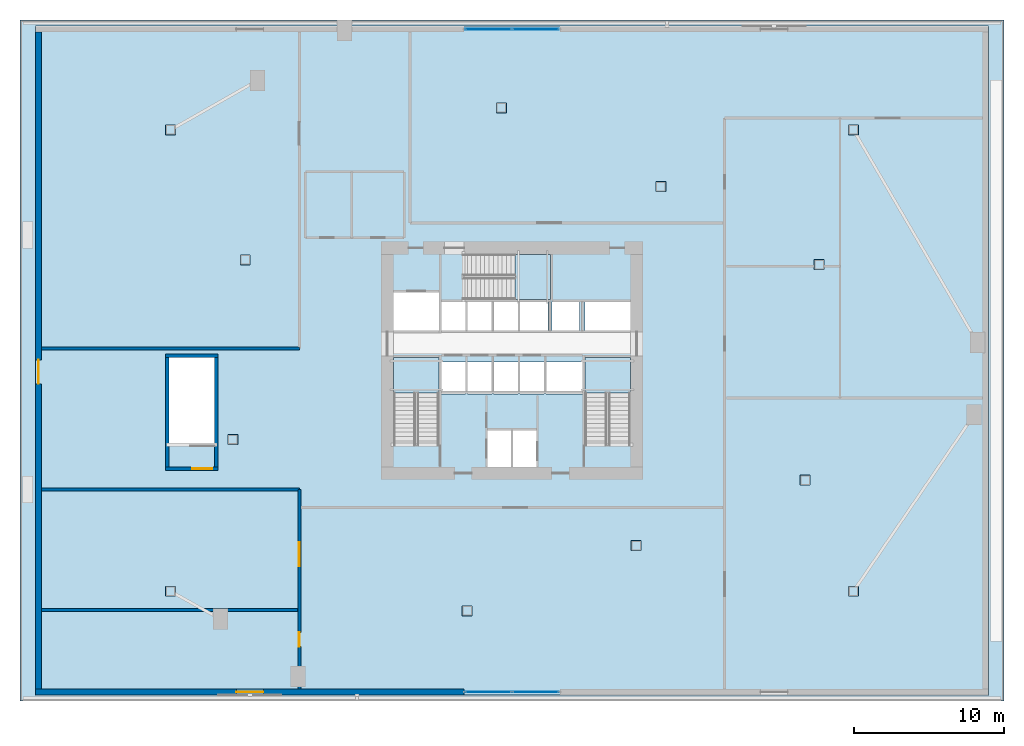
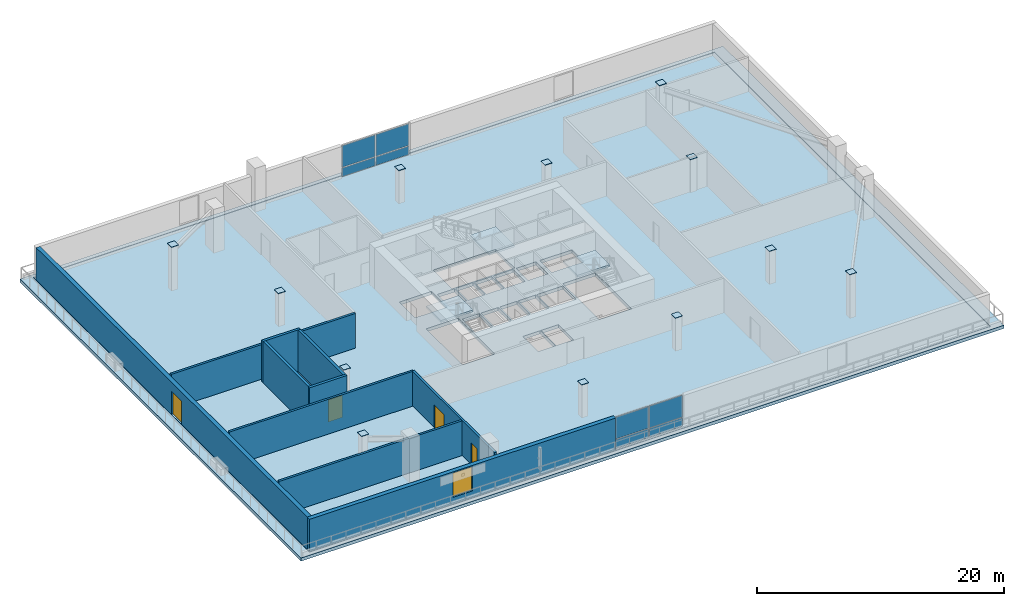
# One storey, part 7 of 16: 20 plates, 10 walls, 5 slabs, 4 doors, 1 window, 5 openings, 5 elements without a shape of their own.
"""IFC4 building model written with IfcOpenShell, lengths in metres."""

from ifc_helpers import new_model, si_unit, direction, frame, frame_2d, origin, origin_2d, place, context, subcontext, project, spatial, polyline, rectangle, outline, extrude, source, transform, mapped, material, layer, layer_set, type_object, type_shapes, element, fill, aggregate, save


model = new_model("IFC4")

# Units and contexts
model_context = context("Model", 3, precision=1e-05, world=origin(), true_north=direction((0.0, 1.0)))
body_context = subcontext(model_context, "Body", "Model", "MODEL_VIEW")
ifc_project = project(units=[si_unit("LENGTHUNIT", "METRE"), si_unit("AREAUNIT", "SQUARE_METRE"), si_unit("VOLUMEUNIT", "CUBIC_METRE"), si_unit("PLANEANGLEUNIT", "RADIAN"), si_unit("MASSUNIT", "GRAM", prefix="KILO")], contexts=[model_context])

# Site, building, storey
site_placement = place(None, origin())
site = spatial("IfcSite", under=ifc_project, at=site_placement, CompositionType="ELEMENT")
building_placement = place(site_placement, origin())
building = spatial("IfcBuilding", under=site, at=building_placement, Name="Olszyna Solenne Hotel", CompositionType="ELEMENT")
storey_placement = place(building_placement, frame((0.0, 0.0, 20.10009765625)))
storey = spatial("IfcBuildingStorey", under=building, at=storey_placement, Name="L04", CompositionType="ELEMENT", Elevation=20.10009765625)

# Stair, slab
ifc_material_1 = material(Name="Concrete C40/50", Category="concrete")
stair_type = type_object("IfcStairType", Name="STR-C1", PredefinedType="TWO_QUARTER_WINDING_STAIR", material=ifc_material_1)
stair_1_placement = place(storey_placement, origin())
stair_1 = element("IfcStair", 1, at=stair_1_placement, inside=storey, type_object=stair_type, Name="L04 ST1", PredefinedType="TWO_QUARTER_WINDING_STAIR")
ifc_layer_1 = layer(ifc_material_1, 0.18994140625, Name="Concrete C40/50")
ifc_layer_set_1 = layer_set([ifc_layer_1], Name="Concrete C40/50")
slab_type_1 = type_object("IfcSlabType", Name="SL-LN190", PredefinedType="LANDING", material=ifc_layer_set_1)
slab_1_placement = place(storey_placement, frame((0.0, 0.0, 2.0498046875)))
slab_1 = element("IfcSlab", 2, at=slab_1_placement, type_object=slab_type_1, Name="ST1 landing 1", PredefinedType="LANDING", context=body_context, shape_type="SweptSolid", body=[
    extrude(outline(polyline([(33.1201171875, 24.429931640625), (33.1201171875, 26.800048828125), (30.10009765625, 26.800048828125), (30.10009765625, 24.429931640625), (33.1201171875, 24.429931640625)])), origin(), (0.0, 0.0, 1.0), 0.2001953125),
])
aggregate(stair_1, [slab_1])

stair_2_placement = place(storey_placement, origin())
stair_2 = element("IfcStair", 3, at=stair_2_placement, inside=storey, type_object=stair_type, Name="L04 ST2", PredefinedType="TWO_QUARTER_WINDING_STAIR")
slab_2_placement = place(storey_placement, frame((0.0, 0.0, 2.0498046875)))
slab_2 = element("IfcSlab", 4, at=slab_2_placement, type_object=slab_type_1, Name="ST2 landing 1", PredefinedType="LANDING", context=body_context, shape_type="SweptSolid", body=[
    extrude(outline(polyline([(45.89990234375, 24.429931640625), (45.89990234375, 26.800048828125), (42.8798828125, 26.800048828125), (42.8798828125, 24.429931640625), (45.89990234375, 24.429931640625)])), origin(), (0.0, 0.0, 1.0), 0.2001953125),
])
aggregate(stair_2, [slab_2])

stair_3_placement = place(storey_placement, origin())
stair_3 = element("IfcStair", 5, at=stair_3_placement, inside=storey, type_object=stair_type, Name="L04 ST3", PredefinedType="TWO_QUARTER_WINDING_STAIR")
slab_3_placement = place(storey_placement, frame((0.0, 0.0, 2.0498046875)))
slab_3 = element("IfcSlab", 6, at=slab_3_placement, type_object=slab_type_1, Name="ST3 landing 1", PredefinedType="LANDING", context=body_context, shape_type="SweptSolid", body=[
    extrude(outline(polyline([(38.2099609375, 30.679931640625), (40.580078125, 30.679931640625), (40.580078125, 33.699951171875), (38.2099609375, 33.699951171875), (38.2099609375, 30.679931640625)])), origin(), (0.0, 0.0, 1.0), 0.2001953125),
])
aggregate(stair_3, [slab_3])

# Slabs
ifc_material_2 = material(Name="Concrete C50/60", Category="concrete")
ifc_layer_2 = layer(ifc_material_2, 0.320068359375, Name="Concrete C50/60")
ifc_layer_set_2 = layer_set([ifc_layer_2], Name="Concrete C50/60")
slab_type_2 = type_object("IfcSlabType", Name="SL-PD320", PredefinedType="FLOOR", material=ifc_layer_set_2)
slab_4_placement = place(storey_placement, frame((0.0, 0.0, -0.320068359375)))
element("IfcSlab", 7, at=slab_4_placement, inside=storey, type_object=slab_type_2, Name="Floor slab SL-PD320 SL-L04-01", PredefinedType="FLOOR", context=body_context, shape_type="SweptSolid", body=[
    extrude(outline(polyline([(6.199951171875, 4.280029296875), (69.800048828125, 4.280029296875), (69.800048828125, 48.919921875), (6.199951171875, 48.919921875), (6.199951171875, 4.280029296875)]), holes=[polyline([(30.10009765625, 20.949951171875), (33.1201171875, 20.949951171875), (33.1201171875, 26.800048828125), (30.10009765625, 26.800048828125), (30.10009765625, 20.949951171875)]), polyline([(42.8798828125, 20.949951171875), (45.89990234375, 20.949951171875), (45.89990234375, 26.800048828125), (42.8798828125, 26.800048828125), (42.8798828125, 20.949951171875)]), polyline([(34.72998046875, 30.679931640625), (40.580078125, 30.679931640625), (40.580078125, 33.699951171875), (34.72998046875, 33.699951171875), (34.72998046875, 30.679931640625)]), polyline([(15.10009765625, 20.949951171875), (18.1201171875, 20.949951171875), (18.1201171875, 26.800048828125), (15.10009765625, 26.800048828125), (15.10009765625, 20.949951171875)]), polyline([(36.340087890625, 19.5), (37.9599609375, 19.5), (37.9599609375, 21.9599609375), (36.340087890625, 21.9599609375), (36.340087890625, 19.5)]), polyline([(38.0400390625, 19.5), (39.659912109375, 19.5), (39.659912109375, 21.9599609375), (38.0400390625, 21.9599609375), (38.0400390625, 19.5)]), polyline([(30.10009765625, 28.60009765625), (33.1201171875, 28.60009765625), (33.1201171875, 31.159912109375), (30.10009765625, 31.159912109375), (30.10009765625, 28.60009765625)]), polyline([(33.280029296875, 24.360107421875), (34.89990234375, 24.360107421875), (34.89990234375, 26.5), (33.280029296875, 26.5), (33.280029296875, 24.360107421875)]), polyline([(35.030029296875, 24.360107421875), (36.64990234375, 24.360107421875), (36.64990234375, 26.5), (35.030029296875, 26.5), (35.030029296875, 24.360107421875)]), polyline([(36.780029296875, 24.360107421875), (38.39990234375, 24.360107421875), (38.39990234375, 26.5), (36.780029296875, 26.5), (36.780029296875, 24.360107421875)]), polyline([(38.530029296875, 24.360107421875), (40.14990234375, 24.360107421875), (40.14990234375, 26.5), (38.530029296875, 26.5), (38.530029296875, 24.360107421875)]), polyline([(40.280029296875, 24.360107421875), (42.719970703125, 24.360107421875), (42.719970703125, 26.5), (40.280029296875, 26.5), (40.280029296875, 24.360107421875)]), polyline([(33.280029296875, 28.60009765625), (34.89990234375, 28.60009765625), (34.89990234375, 30.550048828125), (33.280029296875, 30.550048828125), (33.280029296875, 28.60009765625)]), polyline([(35.030029296875, 28.60009765625), (36.64990234375, 28.60009765625), (36.64990234375, 30.550048828125), (35.030029296875, 30.550048828125), (35.030029296875, 28.60009765625)]), polyline([(36.780029296875, 28.60009765625), (38.39990234375, 28.60009765625), (38.39990234375, 30.550048828125), (36.780029296875, 30.550048828125), (36.780029296875, 28.60009765625)]), polyline([(38.530029296875, 28.60009765625), (40.389892578125, 28.60009765625), (40.389892578125, 30.550048828125), (38.530029296875, 30.550048828125), (38.530029296875, 28.60009765625)]), polyline([(40.659912109375, 28.60009765625), (42.52001953125, 28.60009765625), (42.52001953125, 30.550048828125), (40.659912109375, 30.550048828125), (40.659912109375, 28.60009765625)]), polyline([(42.8798828125, 28.60009765625), (45.89990234375, 28.60009765625), (45.89990234375, 30.550048828125), (42.8798828125, 30.550048828125), (42.8798828125, 28.60009765625)])]), origin(), (0.0, 0.0, 1.0), 0.320068359375),
])
ifc_material_3 = material(Name="Concrete C45/55", Category="concrete")
ifc_layer_3 = layer(ifc_material_3, 0.239990234375, Name="Concrete C45/55")
ifc_layer_set_3 = layer_set([ifc_layer_3], Name="Concrete C45/55")
slab_type_3 = type_object("IfcSlabType", Name="SL-TER240", PredefinedType="FLOOR", material=ifc_layer_set_3)
slab_5_placement = place(storey_placement, frame((0.0, 0.0, -0.320068359375)))
element("IfcSlab", 8, at=slab_5_placement, inside=storey, type_object=slab_type_3, Name="Cascading planted garden-terrace slab SL-L04-TER1", PredefinedType="FLOOR", context=body_context, shape_type="SweptSolid", body=[
    extrude(outline(polyline([(5.14990234375, 3.860107421875), (70.85009765625, 3.860107421875), (70.85009765625, 49.340087890625), (5.14990234375, 49.340087890625), (5.14990234375, 3.860107421875)]), holes=[polyline([(6.170166015625, 4.277099609375), (6.170654296875, 4.274169921875), (6.17138671875, 4.271240234375), (6.17236328125, 4.2685546875), (6.173583984375, 4.265869140625), (6.175048828125, 4.26318359375), (6.1767578125, 4.260986328125), (6.1787109375, 4.2587890625), (6.180908203125, 4.2568359375), (6.183349609375, 4.255126953125), (6.185791015625, 4.25341796875), (6.1884765625, 4.252197265625), (6.19140625, 4.251220703125), (6.194091796875, 4.25048828125), (6.197021484375, 4.25), (6.199951171875, 4.25), (69.800048828125, 4.25), (69.802978515625, 4.25), (69.805908203125, 4.25048828125), (69.80859375, 4.251220703125), (69.8115234375, 4.252197265625), (69.814208984375, 4.25341796875), (69.816650390625, 4.255126953125), (69.819091796875, 4.2568359375), (69.8212890625, 4.2587890625), (69.8232421875, 4.260986328125), (69.824951171875, 4.26318359375), (69.826416015625, 4.265869140625), (69.82763671875, 4.2685546875), (69.82861328125, 4.271240234375), (69.829345703125, 4.274169921875), (69.829833984375, 4.277099609375), (69.830078125, 4.280029296875), (69.830078125, 48.919921875), (69.829833984375, 48.9228515625), (69.829345703125, 48.92578125), (69.82861328125, 48.9287109375), (69.82763671875, 48.931396484375), (69.826416015625, 48.93408203125), (69.824951171875, 48.936767578125), (69.8232421875, 48.93896484375), (69.8212890625, 48.941162109375), (69.819091796875, 48.943115234375), (69.816650390625, 48.94482421875), (69.814208984375, 48.946533203125), (69.8115234375, 48.94775390625), (69.80859375, 48.94873046875), (69.805908203125, 48.949462890625), (69.802978515625, 48.949951171875), (69.800048828125, 48.949951171875), (6.199951171875, 48.949951171875), (6.197021484375, 48.949951171875), (6.194091796875, 48.949462890625), (6.19140625, 48.94873046875), (6.1884765625, 48.94775390625), (6.185791015625, 48.946533203125), (6.183349609375, 48.94482421875), (6.180908203125, 48.943115234375), (6.1787109375, 48.941162109375), (6.1767578125, 48.93896484375), (6.175048828125, 48.936767578125), (6.173583984375, 48.93408203125), (6.17236328125, 48.931396484375), (6.17138671875, 48.9287109375), (6.170654296875, 48.92578125), (6.170166015625, 48.9228515625), (6.169921875, 48.919921875), (6.169921875, 4.280029296875), (6.170166015625, 4.277099609375)])]), origin(), (0.0, 0.0, 1.0), 0.320068359375),
])

# Plates
ifc_material_4 = material(Name="Steel S460M", Category="steel")
plate_type_1 = type_object("IfcPlateType", Name="GP-CAP1", PredefinedType="USERDEFINED", material=ifc_material_4)
shared_shape_1 = source(origin(), body_context, "Body", "SweptSolid", [
    extrude(rectangle(XDim=0.659912109375, YDim=0.659912109375, at=origin_2d()), origin(), (0.0, 0.0, 1.0), 0.0400390625),
])
for number, where, z_axis, x_axis, name in (
    (9, (15.199951171875, 11.199951171875, 4.3349609375), (0.0, 0.0, 1.0), (1.0, 0.0, 0.0), "Hollow section end-cap plate GP-CAP1 CP-P2TOP-1-2"),
    (10, (15.199951171875, 42.0, 4.3349609375), (0.0, 0.0, 1.0), (1.0, 0.0, 0.0), "Hollow section end-cap plate GP-CAP1 CP-P2TOP-2-2"),
    (11, (60.800048828125, 11.199951171875, 4.3349609375), (0.0, 0.0, 1.0), (1.0, 0.0, 0.0), "Hollow section end-cap plate GP-CAP1 CP-P2TOP-3-2"),
    (12, (60.800048828125, 42.0, 4.3349609375), (0.0, 0.0, 1.0), (1.0, 0.0, 0.0), "Hollow section end-cap plate GP-CAP1 CP-P2TOP-4-2"),
    (13, (58.506591796875, 33.0126953125, 3.27978515625), (0.0, 0.0, 1.0), (1.0, 0.0, 0.0), "Hollow section end-cap plate GP-CAP1 CP-TGCOLTOP-1-2"),
    (14, (47.94091796875, 38.222412109375, 3.27978515625), (0.0, 0.0, 1.0), (1.0, 0.0, 0.0), "Hollow section end-cap plate GP-CAP1 CP-TGCOLTOP-2-2"),
    (15, (37.287109375, 43.47509765625, 3.27978515625), (0.0, 0.0, 1.0), (1.0, 0.0, 0.0), "Hollow section end-cap plate GP-CAP1 CP-TGCOLTOP-3-2"),
    (16, (20.186767578125, 33.320068359375, 3.27978515625), (0.0, 0.0, 1.0), (1.0, 0.0, 0.0), "Hollow section end-cap plate GP-CAP1 CP-TGCOLTOP-4-2"),
    (17, (19.359375, 21.33056640625, 3.27978515625), (0.0, 0.0, 1.0), (1.0, 0.0, 0.0), "Hollow section end-cap plate GP-CAP1 CP-TGCOLTOP-5-2"),
    (18, (35.000244140625, 9.88623046875, 3.27978515625), (0.0, 0.0, 1.0), (1.0, 0.0, 0.0), "Hollow section end-cap plate GP-CAP1 CP-TGCOLTOP-6-2"),
    (19, (46.2861328125, 14.25244140625, 3.27978515625), (0.0, 0.0, 1.0), (1.0, 0.0, 0.0), "Hollow section end-cap plate GP-CAP1 CP-TGCOLTOP-7-2"),
    (20, (57.572265625, 18.618408203125, 3.27978515625), (0.0, 0.0, 1.0), (1.0, 0.0, 0.0), "Hollow section end-cap plate GP-CAP1 CP-TGCOLTOP-8-2"),
):
    element("IfcPlate", number, at=place(storey_placement, frame(where, z_axis=z_axis, x_axis=x_axis)), inside=storey, type_object=plate_type_1, Name=name, ObjectType="GUSSET_PLATE", PredefinedType="USERDEFINED", context=body_context, shape_type="MappedRepresentation", body=[
        mapped(shared_shape_1, transform((0.0, 0.0, 0.0), x_axis=(1.0, 0.0, 0.0), y_axis=(0.0, 1.0, 0.0), z_axis=(0.0, 0.0, 1.0), scale=1.0)),
    ])

# Curtain wall, plates
ifc_material_5 = material(Name="Anodised bronze aluminium", Category="aluminium")
curtain_wall_type = type_object("IfcCurtainWallType", Name="CW-SYS-1", PredefinedType="NOTDEFINED", material=ifc_material_5)
curtain_wall_1_placement = place(storey_placement, origin())
curtain_wall_1 = element("IfcCurtainWall", 21, at=curtain_wall_1_placement, inside=storey, type_object=curtain_wall_type, Name="Unitised curtain wall CW-SYS-1 CW-L04-01", PredefinedType="NOTDEFINED")
ifc_material_6 = material(Name="Terracotta cladding", Category="masonry")
plate_type_2 = type_object("IfcPlateType", Name="PN-SP1", PredefinedType="CURTAIN_PANEL", material=ifc_material_6)
shared_shape_2 = source(origin(), body_context, "Body", "SweptSolid", [
    extrude(rectangle(XDim=3.080078125, YDim=0.048095703125, at=origin_2d()), origin(), (0.0, 0.0, 1.0), 0.83740234375),
])
plate_1_placement = place(storey_placement, frame((36.419921875, 4.469970703125, 0.074951171875), z_axis=(0.0, 0.0, 1.0), x_axis=(1.0, 0.0, 0.0)))
plate_1 = element("IfcPlate", 22, at=plate_1_placement, type_object=plate_type_2, Name="Curtain-wall panel PN-SP1 CP-L04-01-01", PredefinedType="CURTAIN_PANEL", context=body_context, shape_type="MappedRepresentation", body=[
    mapped(shared_shape_2, transform((0.0, 0.0, 0.0), x_axis=(1.0, 0.0, 0.0), y_axis=(0.0, 1.0, 0.0), z_axis=(0.0, 0.0, 1.0), scale=1.0)),
])
plate_2_placement = place(storey_placement, frame((39.580078125, 4.469970703125, 0.074951171875), z_axis=(0.0, 0.0, 1.0), x_axis=(1.0, 0.0, 0.0)))
plate_2 = element("IfcPlate", 23, at=plate_2_placement, type_object=plate_type_2, Name="Curtain-wall panel PN-SP1 CP-L04-01-03", PredefinedType="CURTAIN_PANEL", context=body_context, shape_type="MappedRepresentation", body=[
    mapped(shared_shape_2, transform((0.0, 0.0, 0.0), x_axis=(1.0, 0.0, 0.0), y_axis=(0.0, 1.0, 0.0), z_axis=(0.0, 0.0, 1.0), scale=1.0)),
])

curtain_wall_2_placement = place(storey_placement, origin())
curtain_wall_2 = element("IfcCurtainWall", 24, at=curtain_wall_2_placement, inside=storey, type_object=curtain_wall_type, Name="Unitised curtain wall CW-SYS-1 CW-L04-02", PredefinedType="NOTDEFINED")
plate_3_placement = place(storey_placement, frame((36.419921875, 48.72998046875, 0.074951171875), z_axis=(0.0, 0.0, 1.0), x_axis=(1.0, 0.0, 0.0)))
plate_3 = element("IfcPlate", 25, at=plate_3_placement, type_object=plate_type_2, Name="Curtain-wall panel PN-SP1 CP-L04-02-01", PredefinedType="CURTAIN_PANEL", context=body_context, shape_type="MappedRepresentation", body=[
    mapped(shared_shape_2, transform((0.0, 0.0, 0.0), x_axis=(1.0, 0.0, 0.0), y_axis=(0.0, 1.0, 0.0), z_axis=(0.0, 0.0, 1.0), scale=1.0)),
])
plate_4_placement = place(storey_placement, frame((39.580078125, 48.72998046875, 0.074951171875), z_axis=(0.0, 0.0, 1.0), x_axis=(1.0, 0.0, 0.0)))
plate_4 = element("IfcPlate", 26, at=plate_4_placement, type_object=plate_type_2, Name="Curtain-wall panel PN-SP1 CP-L04-02-03", PredefinedType="CURTAIN_PANEL", context=body_context, shape_type="MappedRepresentation", body=[
    mapped(shared_shape_2, transform((0.0, 0.0, 0.0), x_axis=(1.0, 0.0, 0.0), y_axis=(0.0, 1.0, 0.0), z_axis=(0.0, 0.0, 1.0), scale=1.0)),
])

# Plate
ifc_material_7 = material(Name="Low-E triple glazing", Category="glass")
plate_type_3 = type_object("IfcPlateType", Name="PN-GL2", PredefinedType="CURTAIN_PANEL", material=ifc_material_7)
shared_shape_3 = source(origin(), body_context, "Body", "SweptSolid", [
    extrude(rectangle(XDim=3.080078125, YDim=0.048095703125, at=origin_2d()), origin(), (0.0, 0.0, 1.0), 2.137451171875),
])
plate_5_placement = place(storey_placement, frame((36.419921875, 4.469970703125, 0.9873046875), z_axis=(0.0, 0.0, 1.0), x_axis=(1.0, 0.0, 0.0)))
plate_5 = element("IfcPlate", 27, at=plate_5_placement, type_object=plate_type_3, Name="Curtain-wall panel PN-GL2 CP-L04-01-02", PredefinedType="CURTAIN_PANEL", context=body_context, shape_type="MappedRepresentation", body=[
    mapped(shared_shape_3, transform((0.0, 0.0, 0.0), x_axis=(1.0, 0.0, 0.0), y_axis=(0.0, 1.0, 0.0), z_axis=(0.0, 0.0, 1.0), scale=1.0)),
])

plate_6_placement = place(storey_placement, frame((39.580078125, 4.469970703125, 0.9873046875), z_axis=(0.0, 0.0, 1.0), x_axis=(1.0, 0.0, 0.0)))
plate_6 = element("IfcPlate", 28, at=plate_6_placement, type_object=plate_type_3, Name="Curtain-wall panel PN-GL2 CP-L04-01-04", PredefinedType="CURTAIN_PANEL", context=body_context, shape_type="MappedRepresentation", body=[
    mapped(shared_shape_3, transform((0.0, 0.0, 0.0), x_axis=(1.0, 0.0, 0.0), y_axis=(0.0, 1.0, 0.0), z_axis=(0.0, 0.0, 1.0), scale=1.0)),
])

aggregate(curtain_wall_1, [plate_1, plate_5, plate_2, plate_6])

plate_7_placement = place(storey_placement, frame((36.419921875, 48.72998046875, 0.9873046875), z_axis=(0.0, 0.0, 1.0), x_axis=(1.0, 0.0, 0.0)))
plate_7 = element("IfcPlate", 29, at=plate_7_placement, type_object=plate_type_3, Name="Curtain-wall panel PN-GL2 CP-L04-02-02", PredefinedType="CURTAIN_PANEL", context=body_context, shape_type="MappedRepresentation", body=[
    mapped(shared_shape_3, transform((0.0, 0.0, 0.0), x_axis=(1.0, 0.0, 0.0), y_axis=(0.0, 1.0, 0.0), z_axis=(0.0, 0.0, 1.0), scale=1.0)),
])

plate_8_placement = place(storey_placement, frame((39.580078125, 48.72998046875, 0.9873046875), z_axis=(0.0, 0.0, 1.0), x_axis=(1.0, 0.0, 0.0)))
plate_8 = element("IfcPlate", 30, at=plate_8_placement, type_object=plate_type_3, Name="Curtain-wall panel PN-GL2 CP-L04-02-04", PredefinedType="CURTAIN_PANEL", context=body_context, shape_type="MappedRepresentation", body=[
    mapped(shared_shape_3, transform((0.0, 0.0, 0.0), x_axis=(1.0, 0.0, 0.0), y_axis=(0.0, 1.0, 0.0), z_axis=(0.0, 0.0, 1.0), scale=1.0)),
])

aggregate(curtain_wall_2, [plate_3, plate_7, plate_4, plate_8])

# Wall, opening, window
ifc_material_8 = material(Name="Terracotta cladding on precast concrete C45/55", Category="masonry")
ifc_layer_4 = layer(ifc_material_8, 0.3798828125, Name="Terracotta cladding on precast concrete C45/55")
ifc_layer_set_4 = layer_set([ifc_layer_4], Name="Terracotta cladding on precast concrete C45/55")
wall_type_1 = type_object("IfcWallType", Name="WL-EX380", PredefinedType="SOLIDWALL", material=ifc_layer_set_4)
wall_1_placement = place(storey_placement, frame((34.800048828125, 4.469970703125, 0.0), z_axis=(0.0, 0.0, 1.0), x_axis=(-1.0, 0.0, 0.0)))
wall_1 = element("IfcWall", 31, at=wall_1_placement, inside=storey, type_object=wall_type_1, Name="Podium terracotta-precast exterior wall EW-L04-SW", PredefinedType="SOLIDWALL", context=body_context, shape_type="SweptSolid", body=[
    extrude(rectangle(XDim=28.60009765625, YDim=0.3798828125, at=frame_2d((14.300048828125, 0.0))), origin(), (0.0, 0.0, 1.0), 3.199951171875),
])
opening_1_placement = place(wall_1_placement, frame((13.39990234375, 0.0, 0.679931640625)))
opening_1 = element("IfcOpeningElement", 32, at=opening_1_placement, cuts=wall_1, Name="Opening WN-L04-018", PredefinedType="OPENING", context=body_context, shape_type="SweptSolid", body=[
    extrude(rectangle(XDim=1.800048828125, YDim=2.39990234375, at=frame_2d((0.89990234375, 1.199951171875))), frame((0.0, 0.199951171875, 0.0), z_axis=(0.0, -1.0, 0.0), x_axis=(1.0, 0.0, 0.0)), (0.0, 0.0, 1.0), 0.39990234375),
])
window_type = type_object("IfcWindowType", Name="WN-PD2", PartitioningType="SINGLE_PANEL", PredefinedType="WINDOW", material=ifc_material_7)
shared_shape_4 = source(origin(), body_context, "Body", "SweptSolid", [
    extrude(rectangle(XDim=1.800048828125, YDim=2.39990234375, at=frame_2d((0.89990234375, 1.199951171875))), frame((0.0, 0.030029296875, 0.0), z_axis=(0.0, -1.0, 0.0), x_axis=(1.0, 0.0, 0.0)), (0.0, 0.0, 1.0), 0.06005859375),
])
type_shapes(window_type, [shared_shape_4])
window_placement = place(opening_1_placement, origin())
window = element("IfcWindow", 33, at=window_placement, inside=storey, type_object=window_type, Name="Podium triple-glazed window WN-PD2 WN-L04-018", OverallHeight=2.39990234375, OverallWidth=1.800048828125, PartitioningType="SINGLE_PANEL", PredefinedType="WINDOW", context=body_context, shape_type="MappedRepresentation", body=[
    mapped(shared_shape_4, transform((0.0, 0.0, 0.0), x_axis=(1.0, 0.0, 0.0), y_axis=(0.0, 1.0, 0.0), z_axis=(0.0, 0.0, 1.0), scale=1.0)),
])
fill(opening_1, window)

# Wall, opening, door
wall_2_placement = place(storey_placement, frame((6.389892578125, 4.659912109375, 0.0), z_axis=(0.0, 0.0, 1.0), x_axis=(0.0, 1.0, 0.0)))
wall_2 = element("IfcWall", 34, at=wall_2_placement, inside=storey, type_object=wall_type_1, Name="Podium terracotta-precast exterior wall EW-L04-W", PredefinedType="SOLIDWALL", context=body_context, shape_type="SweptSolid", body=[
    extrude(rectangle(XDim=43.880126953125, YDim=0.3798828125, at=frame_2d((21.93994140625, 0.0))), origin(), (0.0, 0.0, 1.0), 3.199951171875),
])
opening_2_placement = place(wall_2_placement, frame((20.389892578125, 0.0, 0.0)))
opening_2 = element("IfcOpeningElement", 35, at=opening_2_placement, cuts=wall_2, Name="Opening TD-L04-W", PredefinedType="OPENING", context=body_context, shape_type="SweptSolid", body=[
    extrude(rectangle(XDim=1.60009765625, YDim=2.300048828125, at=frame_2d((0.800048828125, 1.14990234375))), frame((0.0, 0.199951171875, 0.0), z_axis=(0.0, -1.0, 0.0), x_axis=(1.0, 0.0, 0.0)), (0.0, 0.0, 1.0), 0.39990234375),
])
door_type_1 = type_object("IfcDoorType", Name="DR-EX2", OperationType="DOUBLE_DOOR_SINGLE_SWING", PredefinedType="DOOR", material=ifc_material_5)
shared_shape_5 = source(origin(), body_context, "Body", "SweptSolid", [
    extrude(rectangle(XDim=1.60009765625, YDim=2.300048828125, at=frame_2d((0.800048828125, 1.14990234375))), frame((0.0, 0.02490234375, 0.0), z_axis=(0.0, -1.0, 0.0), x_axis=(1.0, 0.0, 0.0)), (0.0, 0.0, 1.0), 0.050048828125),
])
type_shapes(door_type_1, [shared_shape_5])
door_1_placement = place(opening_2_placement, origin())
door_1 = element("IfcDoor", 36, at=door_1_placement, inside=storey, type_object=door_type_1, Name="Garden Terrace Double Door TD-L04-W", OperationType="DOUBLE_DOOR_SINGLE_SWING", OverallHeight=2.300048828125, OverallWidth=1.60009765625, PredefinedType="DOOR", context=body_context, shape_type="MappedRepresentation", body=[
    mapped(shared_shape_5, transform((0.0, 0.0, 0.0), x_axis=(1.0, 0.0, 0.0), y_axis=(0.0, 1.0, 0.0), z_axis=(0.0, 0.0, 1.0), scale=1.0)),
])
fill(opening_2, door_1)

# Wall, openings, doors
ifc_material_9 = material(Name="Acoustic gypsum partition", Category="gypsum")
ifc_layer_5 = layer(ifc_material_9, 0.199951171875, Name="Acoustic gypsum partition")
ifc_layer_set_5 = layer_set([ifc_layer_5], Name="Acoustic gypsum partition")
wall_type_2 = type_object("IfcWallType", Name="WL-PT200", PredefinedType="PARTITIONING", material=ifc_layer_set_5)
wall_3_placement = place(storey_placement, frame((23.800048828125, 4.659912109375, 0.0), z_axis=(0.0, 0.0, 1.0), x_axis=(0.0, 1.0, 0.0)))
wall_3 = element("IfcWall", 37, at=wall_3_placement, inside=storey, type_object=wall_type_2, Name="Interior acoustic partition WL-PT200 PW-L04-0272", PredefinedType="PARTITIONING", context=body_context, shape_type="SweptSolid", body=[
    extrude(rectangle(XDim=13.340087890625, YDim=0.199951171875, at=frame_2d((6.669921875, 0.0))), origin(), (0.0, 0.0, 1.0), 3.429931640625),
])
opening_3_placement = place(wall_3_placement, frame((2.85009765625, 0.0, 0.0)))
opening_3 = element("IfcOpeningElement", 38, at=opening_3_placement, cuts=wall_3, Name="Opening DR-L04-0055", PredefinedType="OPENING", context=body_context, shape_type="SweptSolid", body=[
    extrude(rectangle(XDim=0.949951171875, YDim=2.10009765625, at=frame_2d((0.47509765625, 1.050048828125))), frame((0.0, 0.10986328125, 0.0), z_axis=(0.0, -1.0, 0.0), x_axis=(1.0, 0.0, 0.0)), (0.0, 0.0, 1.0), 0.219970703125),
])
opening_4_placement = place(wall_3_placement, frame((8.199951171875, 0.0, 0.0)))
opening_4 = element("IfcOpeningElement", 39, at=opening_4_placement, cuts=wall_3, Name="Opening DR-L04-0056", PredefinedType="OPENING", context=body_context, shape_type="SweptSolid", body=[
    extrude(rectangle(XDim=1.60009765625, YDim=2.199951171875, at=frame_2d((0.800048828125, 1.10009765625))), frame((0.0, 0.10986328125, 0.0), z_axis=(0.0, -1.0, 0.0), x_axis=(1.0, 0.0, 0.0)), (0.0, 0.0, 1.0), 0.219970703125),
])
ifc_material_10 = material(Name="Steel S355J2", Category="steel")
door_type_2 = type_object("IfcDoorType", Name="DR-SV1", OperationType="NOTDEFINED", PredefinedType="DOOR", material=ifc_material_10)
shared_shape_6 = source(origin(), body_context, "Body", "SweptSolid", [
    extrude(rectangle(XDim=0.949951171875, YDim=2.10009765625, at=frame_2d((0.47509765625, 1.050048828125))), frame((0.0, 0.02490234375, 0.0), z_axis=(0.0, -1.0, 0.0), x_axis=(1.0, 0.0, 0.0)), (0.0, 0.0, 1.0), 0.050048828125),
])
type_shapes(door_type_2, [shared_shape_6])
door_2_placement = place(opening_3_placement, origin())
door_2 = element("IfcDoor", 40, at=door_2_placement, inside=storey, type_object=door_type_2, Name="West Room Door DR-L04-0055", OperationType="SINGLE_SWING_LEFT", OverallHeight=2.10009765625, OverallWidth=0.949951171875, PredefinedType="DOOR", context=body_context, shape_type="MappedRepresentation", body=[
    mapped(shared_shape_6, transform((0.0, 0.0, 0.0), x_axis=(1.0, 0.0, 0.0), y_axis=(0.0, 1.0, 0.0), z_axis=(0.0, 0.0, 1.0), scale=1.0)),
])
fill(opening_3, door_2)
ifc_material_11 = material(Name="Timber hardwood", Category="wood")
door_type_3 = type_object("IfcDoorType", Name="DR-CR1", OperationType="DOUBLE_DOOR_SINGLE_SWING", PredefinedType="DOOR", material=ifc_material_11)
shared_shape_7 = source(origin(), body_context, "Body", "SweptSolid", [
    extrude(rectangle(XDim=1.60009765625, YDim=2.199951171875, at=frame_2d((0.800048828125, 1.10009765625))), frame((0.0, 0.02490234375, 0.0), z_axis=(0.0, -1.0, 0.0), x_axis=(1.0, 0.0, 0.0)), (0.0, 0.0, 1.0), 0.050048828125),
])
type_shapes(door_type_3, [shared_shape_7])
door_3_placement = place(opening_4_placement, origin())
door_3 = element("IfcDoor", 41, at=door_3_placement, inside=storey, type_object=door_type_3, Name="West Salon Door DR-L04-0056", OperationType="DOUBLE_DOOR_SINGLE_SWING", OverallHeight=2.199951171875, OverallWidth=1.60009765625, PredefinedType="DOOR", context=body_context, shape_type="MappedRepresentation", body=[
    mapped(shared_shape_7, transform((0.0, 0.0, 0.0), x_axis=(1.0, 0.0, 0.0), y_axis=(0.0, 1.0, 0.0), z_axis=(0.0, 0.0, 1.0), scale=1.0)),
])
fill(opening_4, door_3)

# Walls
wall_4_placement = place(storey_placement, frame((6.580078125, 9.9599609375, 0.0), z_axis=(0.0, 0.0, 1.0), x_axis=(1.0, 0.0, 0.0)))
element("IfcWall", 42, at=wall_4_placement, inside=storey, type_object=wall_type_2, Name="Interior acoustic partition WL-PT200 PW-L04-0273", PredefinedType="PARTITIONING", context=body_context, shape_type="SweptSolid", body=[
    extrude(rectangle(XDim=17.099853515625, YDim=0.199951171875, at=frame_2d((8.5498046875, 0.0))), origin(), (0.0, 0.0, 1.0), 3.429931640625),
])
for number, where, z_axis, x_axis, name in (
    (43, (6.580078125, 18.0, 0.0), (0.0, 0.0, 1.0), (1.0, 0.0, 0.0), "Interior acoustic partition WL-PT200 PW-L04-0274"),
    (44, (6.580078125, 27.39990234375, 0.0), (0.0, 0.0, 1.0), (1.0, 0.0, 0.0), "Interior acoustic partition WL-PT200 PW-L04-0276"),
):
    element("IfcWall", number, at=place(storey_placement, frame(where, z_axis=z_axis, x_axis=x_axis)), inside=storey, type_object=wall_type_2, Name=name, PredefinedType="PARTITIONING", context=body_context, shape_type="SweptSolid", body=[
        extrude(rectangle(XDim=17.219970703125, YDim=0.199951171875, at=frame_2d((8.60986328125, 0.0))), origin(), (0.0, 0.0, 1.0), 3.429931640625),
    ])

# Wall, opening, door
ifc_layer_6 = layer(ifc_material_9, 0.239990234375, Name="Acoustic gypsum partition")
ifc_layer_set_6 = layer_set([ifc_layer_6], Name="Acoustic gypsum partition")
wall_type_3 = type_object("IfcWallType", Name="WL-PT240", PredefinedType="PARTITIONING", material=ifc_layer_set_6)
wall_5_placement = place(storey_placement, frame((18.360107421875, 19.3798828125, 0.0), z_axis=(0.0, 0.0, 1.0), x_axis=(-1.0, 0.0, 0.0)))
wall_5 = element("IfcWall", 45, at=wall_5_placement, inside=storey, type_object=wall_type_3, Name="Core shaft compartment wall CW-L04-ST4S", PredefinedType="PARTITIONING", context=body_context, shape_type="SweptSolid", body=[
    extrude(rectangle(XDim=3.5, YDim=0.239990234375, at=frame_2d((1.75, 0.0))), origin(), (0.0, 0.0, 1.0), 4.079833984375),
])
opening_5_placement = place(wall_5_placement, frame((0.3798828125, 0.0, 0.0)))
opening_5 = element("IfcOpeningElement", 46, at=opening_5_placement, cuts=wall_5, Name="Opening STD-L04-04", PredefinedType="OPENING", context=body_context, shape_type="SweptSolid", body=[
    extrude(rectangle(XDim=1.320068359375, YDim=2.199951171875, at=frame_2d((0.66015625, 1.10009765625))), frame((0.0, 0.1298828125, 0.0), z_axis=(0.0, -1.0, 0.0), x_axis=(1.0, 0.0, 0.0)), (0.0, 0.0, 1.0), 0.260009765625),
])
door_type_4 = type_object("IfcDoorType", Name="DR-ST1", OperationType="NOTDEFINED", PredefinedType="DOOR", material=ifc_material_10)
shared_shape_8 = source(origin(), body_context, "Body", "SweptSolid", [
    extrude(rectangle(XDim=1.320068359375, YDim=2.199951171875, at=frame_2d((0.66015625, 1.10009765625))), frame((0.0, 0.02490234375, 0.0), z_axis=(0.0, -1.0, 0.0), x_axis=(1.0, 0.0, 0.0)), (0.0, 0.0, 1.0), 0.050048828125),
])
type_shapes(door_type_4, [shared_shape_8])
door_4_placement = place(opening_5_placement, origin())
door_4 = element("IfcDoor", 47, at=door_4_placement, inside=storey, type_object=door_type_4, Name="Podium exit stair ST4 fire door STD-L04-04", OperationType="SINGLE_SWING_LEFT", OverallHeight=2.199951171875, OverallWidth=1.320068359375, PredefinedType="DOOR", context=body_context, shape_type="MappedRepresentation", body=[
    mapped(shared_shape_8, transform((0.0, 0.0, 0.0), x_axis=(1.0, 0.0, 0.0), y_axis=(0.0, 1.0, 0.0), z_axis=(0.0, 0.0, 1.0), scale=1.0)),
])
fill(opening_5, door_4)

# Walls
wall_6_placement = place(storey_placement, frame((14.860107421875, 26.919921875, 0.0), z_axis=(0.0, 0.0, 1.0), x_axis=(1.0, 0.0, 0.0)))
element("IfcWall", 48, at=wall_6_placement, inside=storey, type_object=wall_type_3, Name="Core shaft compartment wall CW-L04-ST4N", PredefinedType="PARTITIONING", context=body_context, shape_type="SweptSolid", body=[
    extrude(rectangle(XDim=3.5, YDim=0.239990234375, at=frame_2d((1.75, 0.0))), origin(), (0.0, 0.0, 1.0), 4.079833984375),
])
for number, where, z_axis, x_axis, name in (
    (49, (14.97998046875, 19.5, 0.0), (0.0, 0.0, 1.0), (0.0, 1.0, 0.0), "Core shaft compartment wall CW-L04-ST4W"),
    (50, (18.239990234375, 26.800048828125, 0.0), (0.0, 0.0, 1.0), (0.0, -1.0, 0.0), "Core shaft compartment wall CW-L04-ST4E"),
):
    element("IfcWall", number, at=place(storey_placement, frame(where, z_axis=z_axis, x_axis=x_axis)), inside=storey, type_object=wall_type_3, Name=name, PredefinedType="PARTITIONING", context=body_context, shape_type="SweptSolid", body=[
        extrude(rectangle(XDim=7.300048828125, YDim=0.239990234375, at=frame_2d((3.64990234375, 0.0))), origin(), (0.0, 0.0, 1.0), 4.079833984375),
    ])

save(model, "model.ifc")
